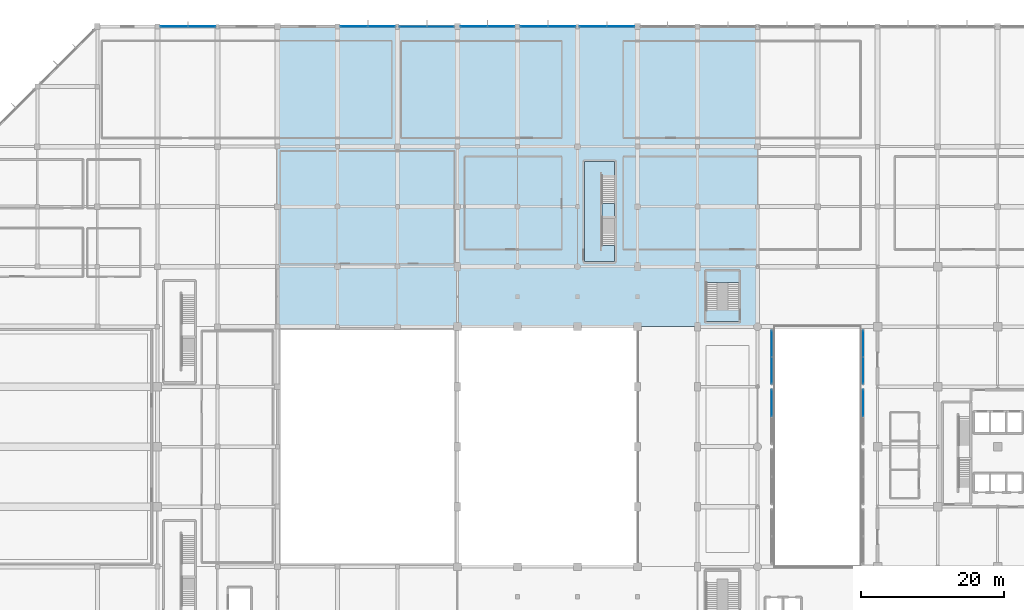
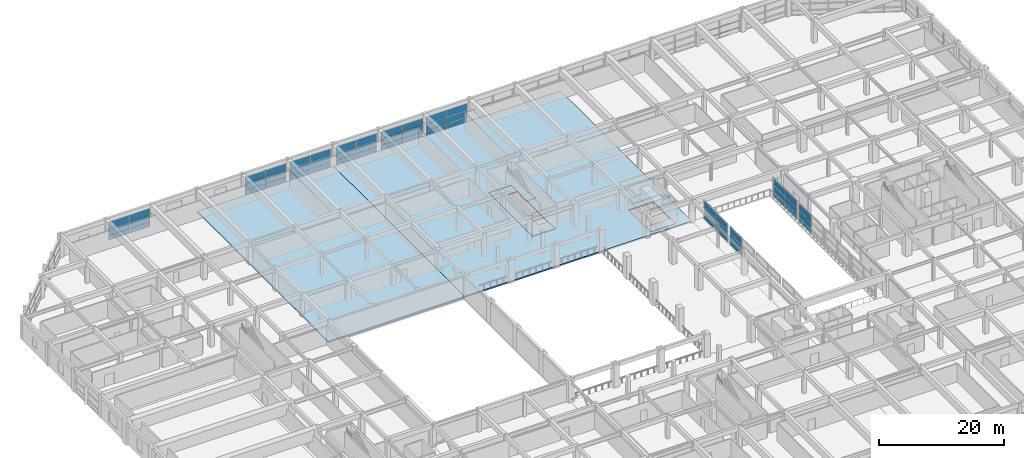
# One storey, part 46 of 65: 54 plates, 6 slabs, 12 elements without a shape of their own.
"""IFC4 building model written with IfcOpenShell, lengths in metres."""

from ifc_helpers import new_model, si_unit, direction, frame, origin, origin_2d, place, context, subcontext, project, spatial, polyline, rectangle, outline, extrude, material, layer, layer_set, type_object, element, aggregate, save


model = new_model("IFC4")

# Units and contexts
model_context = context("Model", 3, precision=1e-05, world=origin(), true_north=direction((0.0, 1.0)))
body_context = subcontext(model_context, "Body", "Model", "MODEL_VIEW")
ifc_project = project(units=[si_unit("LENGTHUNIT", "METRE"), si_unit("AREAUNIT", "SQUARE_METRE"), si_unit("VOLUMEUNIT", "CUBIC_METRE"), si_unit("PLANEANGLEUNIT", "RADIAN"), si_unit("MASSUNIT", "GRAM", prefix="KILO")], contexts=[model_context])

# Site, building, storey
site_placement = place(None, origin())
site = spatial("IfcSite", under=ifc_project, at=site_placement, CompositionType="ELEMENT")
building_placement = place(site_placement, origin())
building = spatial("IfcBuilding", under=site, at=building_placement, Name="Xuanlan Plaza Opera House", CompositionType="ELEMENT")
storey_placement = place(building_placement, frame((0.0, 0.0, 5.39990234375)))
storey = spatial("IfcBuildingStorey", under=building, at=storey_placement, Name="L01", CompositionType="ELEMENT", Elevation=5.39990234375)

# Curtain wall, plates
ifc_material_1 = material(Name="Anodised Aluminium 6063-T6 and Low-E Glass", Category="aluminium")
curtain_wall_type_1 = type_object("IfcCurtainWallType", Name="ENV-CW-CW-06", PredefinedType="USERDEFINED", material=ifc_material_1)
curtain_wall_1_placement = place(storey_placement, origin())
curtain_wall_1 = element("IfcCurtainWall", 1, at=curtain_wall_1_placement, inside=storey, type_object=curtain_wall_type_1, Name="Acoustic Glazed Wall L01-041", ObjectType="ACOUSTIC GLAZED WALL", PredefinedType="USERDEFINED")
ifc_material_2 = material(Name="Laminated Acoustic Double Glazing", Category="glass")
ifc_layer_1 = layer(ifc_material_2, 0.028076171875)
ifc_layer_set_1 = layer_set([ifc_layer_1], Name="Laminated Acoustic Double Glazing")
plate_type_1 = type_object("IfcPlateType", Name="ENV-CWP-01", PredefinedType="CURTAIN_PANEL", material=ifc_layer_set_1)
plate_1_placement = place(storey_placement, frame((64.83251953125, 117.60009765625, 0.090087890625), z_axis=(0.0, 0.0, 1.0), x_axis=(-1.0, 0.0, 0.0)))
plate_1 = element("IfcPlate", 2, at=plate_1_placement, type_object=plate_type_1, Name="CW-06 panel 1.1", PredefinedType="CURTAIN_PANEL", context=body_context, shape_type="SweptSolid", body=[
    extrude(rectangle(XDim=3.735107421875, YDim=0.028076171875, at=origin_2d()), origin(), (0.0, 0.0, 1.0), 0.81494140625),
])
plate_2_placement = place(storey_placement, frame((64.83251953125, 117.60009765625, 0.9951171875), z_axis=(0.0, 0.0, 1.0), x_axis=(-1.0, 0.0, 0.0)))
plate_2 = element("IfcPlate", 3, at=plate_2_placement, type_object=plate_type_1, Name="CW-06 panel 1.2", PredefinedType="CURTAIN_PANEL", context=body_context, shape_type="SweptSolid", body=[
    extrude(rectangle(XDim=3.735107421875, YDim=0.028076171875, at=origin_2d()), origin(), (0.0, 0.0, 1.0), 1.2099609375),
])
plate_3_placement = place(storey_placement, frame((64.83251953125, 117.60009765625, 2.295166015625), z_axis=(0.0, 0.0, 1.0), x_axis=(-1.0, 0.0, 0.0)))
plate_3 = element("IfcPlate", 4, at=plate_3_placement, type_object=plate_type_1, Name="CW-06 panel 1.3", PredefinedType="CURTAIN_PANEL", context=body_context, shape_type="SweptSolid", body=[
    extrude(rectangle(XDim=3.735107421875, YDim=0.028076171875, at=origin_2d()), origin(), (0.0, 0.0, 1.0), 1.294921875),
])
plate_4_placement = place(storey_placement, frame((61.017578125, 117.60009765625, 0.090087890625), z_axis=(0.0, 0.0, 1.0), x_axis=(-1.0, 0.0, 0.0)))
plate_4 = element("IfcPlate", 5, at=plate_4_placement, type_object=plate_type_1, Name="CW-06 panel 2.1", PredefinedType="CURTAIN_PANEL", context=body_context, shape_type="SweptSolid", body=[
    extrude(rectangle(XDim=3.735107421875, YDim=0.028076171875, at=origin_2d()), origin(), (0.0, 0.0, 1.0), 0.81494140625),
])
plate_5_placement = place(storey_placement, frame((61.017578125, 117.60009765625, 0.9951171875), z_axis=(0.0, 0.0, 1.0), x_axis=(-1.0, 0.0, 0.0)))
plate_5 = element("IfcPlate", 6, at=plate_5_placement, type_object=plate_type_1, Name="CW-06 panel 2.2", PredefinedType="CURTAIN_PANEL", context=body_context, shape_type="SweptSolid", body=[
    extrude(rectangle(XDim=3.735107421875, YDim=0.028076171875, at=origin_2d()), origin(), (0.0, 0.0, 1.0), 1.2099609375),
])
plate_6_placement = place(storey_placement, frame((61.017578125, 117.60009765625, 2.295166015625), z_axis=(0.0, 0.0, 1.0), x_axis=(-1.0, 0.0, 0.0)))
plate_6 = element("IfcPlate", 7, at=plate_6_placement, type_object=plate_type_1, Name="CW-06 panel 2.3", PredefinedType="CURTAIN_PANEL", context=body_context, shape_type="SweptSolid", body=[
    extrude(rectangle(XDim=3.735107421875, YDim=0.028076171875, at=origin_2d()), origin(), (0.0, 0.0, 1.0), 1.294921875),
])
aggregate(curtain_wall_1, [plate_1, plate_2, plate_3, plate_4, plate_5, plate_6])

curtain_wall_type_2 = type_object("IfcCurtainWallType", Name="ENV-CW-CW-05", PredefinedType="USERDEFINED", material=ifc_material_1)
curtain_wall_2_placement = place(storey_placement, origin())
curtain_wall_2 = element("IfcCurtainWall", 8, at=curtain_wall_2_placement, inside=storey, type_object=curtain_wall_type_2, Name="Acoustic Glazed Wall L01-038", ObjectType="ACOUSTIC GLAZED WALL", PredefinedType="USERDEFINED")
ifc_layer_2 = layer(ifc_material_2, 0.031982421875)
ifc_layer_set_2 = layer_set([ifc_layer_2], Name="Laminated Acoustic Double Glazing")
plate_type_2 = type_object("IfcPlateType", Name="ENV-CWP-02", PredefinedType="CURTAIN_PANEL", material=ifc_layer_set_2)
plate_7_placement = place(storey_placement, frame((90.030029296875, 117.60009765625, 0.080078125), z_axis=(0.0, 0.0, 1.0), x_axis=(-1.0, 0.0, 0.0)))
plate_7 = element("IfcPlate", 9, at=plate_7_placement, type_object=plate_type_2, Name="CW-05 panel 1.1", PredefinedType="CURTAIN_PANEL", context=body_context, shape_type="SweptSolid", body=[
    extrude(rectangle(XDim=3.77001953125, YDim=0.031982421875, at=origin_2d()), origin(), (0.0, 0.0, 1.0), 0.830078125),
])
plate_8_placement = place(storey_placement, frame((90.030029296875, 117.60009765625, 0.990234375), z_axis=(0.0, 0.0, 1.0), x_axis=(-1.0, 0.0, 0.0)))
plate_8 = element("IfcPlate", 10, at=plate_8_placement, type_object=plate_type_2, Name="CW-05 panel 1.2", PredefinedType="CURTAIN_PANEL", context=body_context, shape_type="SweptSolid", body=[
    extrude(rectangle(XDim=3.77001953125, YDim=0.031982421875, at=origin_2d()), origin(), (0.0, 0.0, 1.0), 1.219970703125),
])
plate_9_placement = place(storey_placement, frame((90.030029296875, 117.60009765625, 2.2900390625), z_axis=(0.0, 0.0, 1.0), x_axis=(-1.0, 0.0, 0.0)))
plate_9 = element("IfcPlate", 11, at=plate_9_placement, type_object=plate_type_2, Name="CW-05 panel 1.3", PredefinedType="CURTAIN_PANEL", context=body_context, shape_type="SweptSolid", body=[
    extrude(rectangle(XDim=3.77001953125, YDim=0.031982421875, at=origin_2d()), origin(), (0.0, 0.0, 1.0), 1.31005859375),
])
plate_10_placement = place(storey_placement, frame((86.195068359375, 117.60009765625, 0.080078125), z_axis=(0.0, 0.0, 1.0), x_axis=(-1.0, 0.0, 0.0)))
plate_10 = element("IfcPlate", 12, at=plate_10_placement, type_object=plate_type_2, Name="CW-05 panel 2.1", PredefinedType="CURTAIN_PANEL", context=body_context, shape_type="SweptSolid", body=[
    extrude(rectangle(XDim=3.77001953125, YDim=0.031982421875, at=origin_2d()), origin(), (0.0, 0.0, 1.0), 0.830078125),
])
plate_11_placement = place(storey_placement, frame((86.195068359375, 117.60009765625, 0.990234375), z_axis=(0.0, 0.0, 1.0), x_axis=(-1.0, 0.0, 0.0)))
plate_11 = element("IfcPlate", 13, at=plate_11_placement, type_object=plate_type_2, Name="CW-05 panel 2.2", PredefinedType="CURTAIN_PANEL", context=body_context, shape_type="SweptSolid", body=[
    extrude(rectangle(XDim=3.77001953125, YDim=0.031982421875, at=origin_2d()), origin(), (0.0, 0.0, 1.0), 1.219970703125),
])
plate_12_placement = place(storey_placement, frame((86.195068359375, 117.60009765625, 2.2900390625), z_axis=(0.0, 0.0, 1.0), x_axis=(-1.0, 0.0, 0.0)))
plate_12 = element("IfcPlate", 14, at=plate_12_placement, type_object=plate_type_2, Name="CW-05 panel 2.3", PredefinedType="CURTAIN_PANEL", context=body_context, shape_type="SweptSolid", body=[
    extrude(rectangle(XDim=3.77001953125, YDim=0.031982421875, at=origin_2d()), origin(), (0.0, 0.0, 1.0), 1.31005859375),
])
aggregate(curtain_wall_2, [plate_7, plate_8, plate_9, plate_10, plate_11, plate_12])

curtain_wall_3_placement = place(storey_placement, origin())
curtain_wall_3 = element("IfcCurtainWall", 15, at=curtain_wall_3_placement, inside=storey, type_object=curtain_wall_type_2, Name="Acoustic Glazed Wall L01-040", ObjectType="ACOUSTIC GLAZED WALL", PredefinedType="USERDEFINED")
ifc_layer_3 = layer(ifc_material_2, 0.035888671875)
ifc_layer_set_3 = layer_set([ifc_layer_3], Name="Laminated Acoustic Double Glazing")
plate_type_3 = type_object("IfcPlateType", Name="ENV-CWP-03", PredefinedType="CURTAIN_PANEL", material=ifc_layer_set_3)
plate_13_placement = place(storey_placement, frame((73.308837890625, 117.60009765625, 0.0751953125), z_axis=(0.0, 0.0, 1.0), x_axis=(-1.0, 0.0, 0.0)))
plate_13 = element("IfcPlate", 16, at=plate_13_placement, type_object=plate_type_3, Name="CW-05 panel 1.1", PredefinedType="CURTAIN_PANEL", context=body_context, shape_type="SweptSolid", body=[
    extrude(rectangle(XDim=3.6923828125, YDim=0.035888671875, at=origin_2d()), origin(), (0.0, 0.0, 1.0), 0.83740234375),
])
plate_14_placement = place(storey_placement, frame((73.308837890625, 117.60009765625, 0.987548828125), z_axis=(0.0, 0.0, 1.0), x_axis=(-1.0, 0.0, 0.0)))
plate_14 = element("IfcPlate", 17, at=plate_14_placement, type_object=plate_type_3, Name="CW-05 panel 1.2", PredefinedType="CURTAIN_PANEL", context=body_context, shape_type="SweptSolid", body=[
    extrude(rectangle(XDim=3.6923828125, YDim=0.035888671875, at=origin_2d()), origin(), (0.0, 0.0, 1.0), 1.22509765625),
])
plate_15_placement = place(storey_placement, frame((73.308837890625, 117.60009765625, 2.28759765625), z_axis=(0.0, 0.0, 1.0), x_axis=(-1.0, 0.0, 0.0)))
plate_15 = element("IfcPlate", 18, at=plate_15_placement, type_object=plate_type_3, Name="CW-05 panel 1.3", PredefinedType="CURTAIN_PANEL", context=body_context, shape_type="SweptSolid", body=[
    extrude(rectangle(XDim=3.6923828125, YDim=0.035888671875, at=origin_2d()), origin(), (0.0, 0.0, 1.0), 1.3173828125),
])
plate_16_placement = place(storey_placement, frame((69.541259765625, 117.60009765625, 0.0751953125), z_axis=(0.0, 0.0, 1.0), x_axis=(-1.0, 0.0, 0.0)))
plate_16 = element("IfcPlate", 19, at=plate_16_placement, type_object=plate_type_3, Name="CW-05 panel 2.1", PredefinedType="CURTAIN_PANEL", context=body_context, shape_type="SweptSolid", body=[
    extrude(rectangle(XDim=3.6923828125, YDim=0.035888671875, at=origin_2d()), origin(), (0.0, 0.0, 1.0), 0.83740234375),
])
plate_17_placement = place(storey_placement, frame((69.541259765625, 117.60009765625, 0.987548828125), z_axis=(0.0, 0.0, 1.0), x_axis=(-1.0, 0.0, 0.0)))
plate_17 = element("IfcPlate", 20, at=plate_17_placement, type_object=plate_type_3, Name="CW-05 panel 2.2", PredefinedType="CURTAIN_PANEL", context=body_context, shape_type="SweptSolid", body=[
    extrude(rectangle(XDim=3.6923828125, YDim=0.035888671875, at=origin_2d()), origin(), (0.0, 0.0, 1.0), 1.22509765625),
])
plate_18_placement = place(storey_placement, frame((69.541259765625, 117.60009765625, 2.28759765625), z_axis=(0.0, 0.0, 1.0), x_axis=(-1.0, 0.0, 0.0)))
plate_18 = element("IfcPlate", 21, at=plate_18_placement, type_object=plate_type_3, Name="CW-05 panel 2.3", PredefinedType="CURTAIN_PANEL", context=body_context, shape_type="SweptSolid", body=[
    extrude(rectangle(XDim=3.6923828125, YDim=0.035888671875, at=origin_2d()), origin(), (0.0, 0.0, 1.0), 1.3173828125),
])
aggregate(curtain_wall_3, [plate_13, plate_14, plate_15, plate_16, plate_17, plate_18])

curtain_wall_type_3 = type_object("IfcCurtainWallType", Name="ENV-CW-CW-04", PredefinedType="USERDEFINED", material=ifc_material_1)
curtain_wall_4_placement = place(storey_placement, origin())
curtain_wall_4 = element("IfcCurtainWall", 22, at=curtain_wall_4_placement, inside=storey, type_object=curtain_wall_type_3, Name="Unitised Curtain Wall L01-045", ObjectType="UNITISED CURTAIN WALL", PredefinedType="USERDEFINED")
plate_19_placement = place(storey_placement, frame((31.389892578125, 117.60009765625, 0.0751953125), z_axis=(0.0, 0.0, 1.0), x_axis=(-1.0, 0.0, 0.0)))
plate_19 = element("IfcPlate", 23, at=plate_19_placement, type_object=plate_type_3, Name="CW-04 panel 1.1", PredefinedType="CURTAIN_PANEL", context=body_context, shape_type="SweptSolid", body=[
    extrude(rectangle(XDim=3.780029296875, YDim=0.035888671875, at=origin_2d()), origin(), (0.0, 0.0, 1.0), 0.83740234375),
])
plate_20_placement = place(storey_placement, frame((31.389892578125, 117.60009765625, 0.987548828125), z_axis=(0.0, 0.0, 1.0), x_axis=(-1.0, 0.0, 0.0)))
plate_20 = element("IfcPlate", 24, at=plate_20_placement, type_object=plate_type_3, Name="CW-04 panel 1.2", PredefinedType="CURTAIN_PANEL", context=body_context, shape_type="SweptSolid", body=[
    extrude(rectangle(XDim=3.780029296875, YDim=0.035888671875, at=origin_2d()), origin(), (0.0, 0.0, 1.0), 1.22509765625),
])
plate_21_placement = place(storey_placement, frame((31.389892578125, 117.60009765625, 2.28759765625), z_axis=(0.0, 0.0, 1.0), x_axis=(-1.0, 0.0, 0.0)))
plate_21 = element("IfcPlate", 25, at=plate_21_placement, type_object=plate_type_3, Name="CW-04 panel 1.3", PredefinedType="CURTAIN_PANEL", context=body_context, shape_type="SweptSolid", body=[
    extrude(rectangle(XDim=3.780029296875, YDim=0.035888671875, at=origin_2d()), origin(), (0.0, 0.0, 1.0), 1.3173828125),
])
plate_22_placement = place(storey_placement, frame((27.534912109375, 117.60009765625, 0.0751953125), z_axis=(0.0, 0.0, 1.0), x_axis=(-1.0, 0.0, 0.0)))
plate_22 = element("IfcPlate", 26, at=plate_22_placement, type_object=plate_type_3, Name="CW-04 panel 2.1", PredefinedType="CURTAIN_PANEL", context=body_context, shape_type="SweptSolid", body=[
    extrude(rectangle(XDim=3.780029296875, YDim=0.035888671875, at=origin_2d()), origin(), (0.0, 0.0, 1.0), 0.83740234375),
])
plate_23_placement = place(storey_placement, frame((27.534912109375, 117.60009765625, 0.987548828125), z_axis=(0.0, 0.0, 1.0), x_axis=(-1.0, 0.0, 0.0)))
plate_23 = element("IfcPlate", 27, at=plate_23_placement, type_object=plate_type_3, Name="CW-04 panel 2.2", PredefinedType="CURTAIN_PANEL", context=body_context, shape_type="SweptSolid", body=[
    extrude(rectangle(XDim=3.780029296875, YDim=0.035888671875, at=origin_2d()), origin(), (0.0, 0.0, 1.0), 1.22509765625),
])
plate_24_placement = place(storey_placement, frame((27.534912109375, 117.60009765625, 2.28759765625), z_axis=(0.0, 0.0, 1.0), x_axis=(-1.0, 0.0, 0.0)))
plate_24 = element("IfcPlate", 28, at=plate_24_placement, type_object=plate_type_3, Name="CW-04 panel 2.3", PredefinedType="CURTAIN_PANEL", context=body_context, shape_type="SweptSolid", body=[
    extrude(rectangle(XDim=3.780029296875, YDim=0.035888671875, at=origin_2d()), origin(), (0.0, 0.0, 1.0), 1.3173828125),
])
aggregate(curtain_wall_4, [plate_19, plate_20, plate_21, plate_22, plate_23, plate_24])

curtain_wall_type_4 = type_object("IfcCurtainWallType", Name="ENV-CW-CW-01", PredefinedType="USERDEFINED", material=ifc_material_1)
curtain_wall_5_placement = place(storey_placement, origin())
curtain_wall_5 = element("IfcCurtainWall", 29, at=curtain_wall_5_placement, inside=storey, type_object=curtain_wall_type_4, Name="Unitised Curtain Wall L01-042", ObjectType="UNITISED CURTAIN WALL", PredefinedType="USERDEFINED")
ifc_layer_4 = layer(ifc_material_2, 0.0400390625)
ifc_layer_set_4 = layer_set([ifc_layer_4], Name="Laminated Acoustic Double Glazing")
plate_type_4 = type_object("IfcPlateType", Name="ENV-CWP-04", PredefinedType="CURTAIN_PANEL", material=ifc_layer_set_4)
plate_25_placement = place(storey_placement, frame((56.5673828125, 117.60009765625, 0.0703125), z_axis=(0.0, 0.0, 1.0), x_axis=(-1.0, 0.0, 0.0)))
plate_25 = element("IfcPlate", 30, at=plate_25_placement, type_object=plate_type_4, Name="CW-01 panel 1.1", PredefinedType="CURTAIN_PANEL", context=body_context, shape_type="SweptSolid", body=[
    extrude(rectangle(XDim=3.7451171875, YDim=0.0400390625, at=origin_2d()), origin(), (0.0, 0.0, 1.0), 0.844970703125),
])
plate_26_placement = place(storey_placement, frame((56.5673828125, 117.60009765625, 0.985107421875), z_axis=(0.0, 0.0, 1.0), x_axis=(-1.0, 0.0, 0.0)))
plate_26 = element("IfcPlate", 31, at=plate_26_placement, type_object=plate_type_4, Name="CW-01 panel 1.2", PredefinedType="CURTAIN_PANEL", context=body_context, shape_type="SweptSolid", body=[
    extrude(rectangle(XDim=3.7451171875, YDim=0.0400390625, at=origin_2d()), origin(), (0.0, 0.0, 1.0), 1.22998046875),
])
plate_27_placement = place(storey_placement, frame((56.5673828125, 117.60009765625, 2.28515625), z_axis=(0.0, 0.0, 1.0), x_axis=(-1.0, 0.0, 0.0)))
plate_27 = element("IfcPlate", 32, at=plate_27_placement, type_object=plate_type_4, Name="CW-01 panel 1.3", PredefinedType="CURTAIN_PANEL", context=body_context, shape_type="SweptSolid", body=[
    extrude(rectangle(XDim=3.7451171875, YDim=0.0400390625, at=origin_2d()), origin(), (0.0, 0.0, 1.0), 1.324951171875),
])
plate_28_placement = place(storey_placement, frame((52.732421875, 117.60009765625, 0.0703125), z_axis=(0.0, 0.0, 1.0), x_axis=(-1.0, 0.0, 0.0)))
plate_28 = element("IfcPlate", 33, at=plate_28_placement, type_object=plate_type_4, Name="CW-01 panel 2.1", PredefinedType="CURTAIN_PANEL", context=body_context, shape_type="SweptSolid", body=[
    extrude(rectangle(XDim=3.7451171875, YDim=0.0400390625, at=origin_2d()), origin(), (0.0, 0.0, 1.0), 0.844970703125),
])
plate_29_placement = place(storey_placement, frame((52.732421875, 117.60009765625, 0.985107421875), z_axis=(0.0, 0.0, 1.0), x_axis=(-1.0, 0.0, 0.0)))
plate_29 = element("IfcPlate", 34, at=plate_29_placement, type_object=plate_type_4, Name="CW-01 panel 2.2", PredefinedType="CURTAIN_PANEL", context=body_context, shape_type="SweptSolid", body=[
    extrude(rectangle(XDim=3.7451171875, YDim=0.0400390625, at=origin_2d()), origin(), (0.0, 0.0, 1.0), 1.22998046875),
])
plate_30_placement = place(storey_placement, frame((52.732421875, 117.60009765625, 2.28515625), z_axis=(0.0, 0.0, 1.0), x_axis=(-1.0, 0.0, 0.0)))
plate_30 = element("IfcPlate", 35, at=plate_30_placement, type_object=plate_type_4, Name="CW-01 panel 2.3", PredefinedType="CURTAIN_PANEL", context=body_context, shape_type="SweptSolid", body=[
    extrude(rectangle(XDim=3.7451171875, YDim=0.0400390625, at=origin_2d()), origin(), (0.0, 0.0, 1.0), 1.324951171875),
])
aggregate(curtain_wall_5, [plate_25, plate_26, plate_27, plate_28, plate_29, plate_30])

curtain_wall_6_placement = place(storey_placement, origin())
curtain_wall_6 = element("IfcCurtainWall", 36, at=curtain_wall_6_placement, inside=storey, type_object=curtain_wall_type_1, Name="Acoustic Glazed Wall L01-039", ObjectType="ACOUSTIC GLAZED WALL", PredefinedType="USERDEFINED")
ifc_layer_5 = layer(ifc_material_2, 0.0439453125)
ifc_layer_set_5 = layer_set([ifc_layer_5], Name="Laminated Acoustic Double Glazing")
plate_type_5 = type_object("IfcPlateType", Name="ENV-CWP-05", PredefinedType="CURTAIN_PANEL", material=ifc_layer_set_5)
plate_31_placement = place(storey_placement, frame((81.791259765625, 117.60009765625, 0.065185546875), z_axis=(0.0, 0.0, 1.0), x_axis=(-1.0, 0.0, 0.0)))
plate_31 = element("IfcPlate", 37, at=plate_31_placement, type_object=plate_type_5, Name="CW-06 panel 1.1", PredefinedType="CURTAIN_PANEL", context=body_context, shape_type="SweptSolid", body=[
    extrude(rectangle(XDim=3.78759765625, YDim=0.0439453125, at=origin_2d()), origin(), (0.0, 0.0, 1.0), 0.8525390625),
])
plate_32_placement = place(storey_placement, frame((81.791259765625, 117.60009765625, 0.982421875), z_axis=(0.0, 0.0, 1.0), x_axis=(-1.0, 0.0, 0.0)))
plate_32 = element("IfcPlate", 38, at=plate_32_placement, type_object=plate_type_5, Name="CW-06 panel 1.2", PredefinedType="CURTAIN_PANEL", context=body_context, shape_type="SweptSolid", body=[
    extrude(rectangle(XDim=3.78759765625, YDim=0.0439453125, at=origin_2d()), origin(), (0.0, 0.0, 1.0), 1.235107421875),
])
plate_33_placement = place(storey_placement, frame((81.791259765625, 117.60009765625, 2.282470703125), z_axis=(0.0, 0.0, 1.0), x_axis=(-1.0, 0.0, 0.0)))
plate_33 = element("IfcPlate", 39, at=plate_33_placement, type_object=plate_type_5, Name="CW-06 panel 1.3", PredefinedType="CURTAIN_PANEL", context=body_context, shape_type="SweptSolid", body=[
    extrude(rectangle(XDim=3.78759765625, YDim=0.0439453125, at=origin_2d()), origin(), (0.0, 0.0, 1.0), 1.33251953125),
])
plate_34_placement = place(storey_placement, frame((77.933837890625, 117.60009765625, 0.065185546875), z_axis=(0.0, 0.0, 1.0), x_axis=(-1.0, 0.0, 0.0)))
plate_34 = element("IfcPlate", 40, at=plate_34_placement, type_object=plate_type_5, Name="CW-06 panel 2.1", PredefinedType="CURTAIN_PANEL", context=body_context, shape_type="SweptSolid", body=[
    extrude(rectangle(XDim=3.78759765625, YDim=0.0439453125, at=origin_2d()), origin(), (0.0, 0.0, 1.0), 0.8525390625),
])
plate_35_placement = place(storey_placement, frame((77.933837890625, 117.60009765625, 0.982421875), z_axis=(0.0, 0.0, 1.0), x_axis=(-1.0, 0.0, 0.0)))
plate_35 = element("IfcPlate", 41, at=plate_35_placement, type_object=plate_type_5, Name="CW-06 panel 2.2", PredefinedType="CURTAIN_PANEL", context=body_context, shape_type="SweptSolid", body=[
    extrude(rectangle(XDim=3.78759765625, YDim=0.0439453125, at=origin_2d()), origin(), (0.0, 0.0, 1.0), 1.235107421875),
])
plate_36_placement = place(storey_placement, frame((77.933837890625, 117.60009765625, 2.282470703125), z_axis=(0.0, 0.0, 1.0), x_axis=(-1.0, 0.0, 0.0)))
plate_36 = element("IfcPlate", 42, at=plate_36_placement, type_object=plate_type_5, Name="CW-06 panel 2.3", PredefinedType="CURTAIN_PANEL", context=body_context, shape_type="SweptSolid", body=[
    extrude(rectangle(XDim=3.78759765625, YDim=0.0439453125, at=origin_2d()), origin(), (0.0, 0.0, 1.0), 1.33251953125),
])
aggregate(curtain_wall_6, [plate_31, plate_32, plate_33, plate_34, plate_35, plate_36])

curtain_wall_7_placement = place(storey_placement, origin())
curtain_wall_7 = element("IfcCurtainWall", 43, at=curtain_wall_7_placement, inside=storey, type_object=curtain_wall_type_1, Name="Acoustic Glazed Wall ATR-L01-13", ObjectType="ACOUSTIC GLAZED WALL", PredefinedType="USERDEFINED")
plate_37_placement = place(storey_placement, frame((111.199951171875, 64.902587890625, 0.090087890625), z_axis=(0.0, 0.0, 1.0), x_axis=(0.0, 1.0, 0.0)))
plate_37 = element("IfcPlate", 44, at=plate_37_placement, type_object=plate_type_5, Name="CW-06 panel 2.1", PredefinedType="CURTAIN_PANEL", context=body_context, shape_type="SweptSolid", body=[
    extrude(rectangle(XDim=3.715087890625, YDim=0.0439453125, at=origin_2d()), origin(), (0.0, 0.0, 1.0), 0.81494140625),
])
plate_38_placement = place(storey_placement, frame((111.199951171875, 64.902587890625, 0.9951171875), z_axis=(0.0, 0.0, 1.0), x_axis=(0.0, 1.0, 0.0)))
plate_38 = element("IfcPlate", 45, at=plate_38_placement, type_object=plate_type_5, Name="CW-06 panel 2.2", PredefinedType="CURTAIN_PANEL", context=body_context, shape_type="SweptSolid", body=[
    extrude(rectangle(XDim=3.715087890625, YDim=0.0439453125, at=origin_2d()), origin(), (0.0, 0.0, 1.0), 1.2099609375),
])
plate_39_placement = place(storey_placement, frame((111.199951171875, 64.902587890625, 2.295166015625), z_axis=(0.0, 0.0, 1.0), x_axis=(0.0, 1.0, 0.0)))
plate_39 = element("IfcPlate", 46, at=plate_39_placement, type_object=plate_type_5, Name="CW-06 panel 2.3", PredefinedType="CURTAIN_PANEL", context=body_context, shape_type="SweptSolid", body=[
    extrude(rectangle(XDim=3.715087890625, YDim=0.0439453125, at=origin_2d()), origin(), (0.0, 0.0, 1.0), 1.294921875),
])
aggregate(curtain_wall_7, [plate_37, plate_38, plate_39])

curtain_wall_8_placement = place(storey_placement, origin())
curtain_wall_8 = element("IfcCurtainWall", 47, at=curtain_wall_8_placement, inside=storey, type_object=curtain_wall_type_1, Name="Acoustic Glazed Wall ATR-L01-14", ObjectType="ACOUSTIC GLAZED WALL", PredefinedType="USERDEFINED")
plate_40_placement = place(storey_placement, frame((111.199951171875, 69.472412109375, 0.090087890625), z_axis=(0.0, 0.0, 1.0), x_axis=(0.0, 1.0, 0.0)))
plate_40 = element("IfcPlate", 48, at=plate_40_placement, type_object=plate_type_5, Name="CW-06 panel 1.1", PredefinedType="CURTAIN_PANEL", context=body_context, shape_type="SweptSolid", body=[
    extrude(rectangle(XDim=3.6650390625, YDim=0.0439453125, at=origin_2d()), origin(), (0.0, 0.0, 1.0), 0.81494140625),
])
plate_41_placement = place(storey_placement, frame((111.199951171875, 69.472412109375, 0.9951171875), z_axis=(0.0, 0.0, 1.0), x_axis=(0.0, 1.0, 0.0)))
plate_41 = element("IfcPlate", 49, at=plate_41_placement, type_object=plate_type_5, Name="CW-06 panel 1.2", PredefinedType="CURTAIN_PANEL", context=body_context, shape_type="SweptSolid", body=[
    extrude(rectangle(XDim=3.6650390625, YDim=0.0439453125, at=origin_2d()), origin(), (0.0, 0.0, 1.0), 1.2099609375),
])
plate_42_placement = place(storey_placement, frame((111.199951171875, 69.472412109375, 2.295166015625), z_axis=(0.0, 0.0, 1.0), x_axis=(0.0, 1.0, 0.0)))
plate_42 = element("IfcPlate", 50, at=plate_42_placement, type_object=plate_type_5, Name="CW-06 panel 1.3", PredefinedType="CURTAIN_PANEL", context=body_context, shape_type="SweptSolid", body=[
    extrude(rectangle(XDim=3.6650390625, YDim=0.0439453125, at=origin_2d()), origin(), (0.0, 0.0, 1.0), 1.294921875),
])
plate_43_placement = place(storey_placement, frame((111.199951171875, 73.2275390625, 0.090087890625), z_axis=(0.0, 0.0, 1.0), x_axis=(0.0, 1.0, 0.0)))
plate_43 = element("IfcPlate", 51, at=plate_43_placement, type_object=plate_type_5, Name="CW-06 panel 2.1", PredefinedType="CURTAIN_PANEL", context=body_context, shape_type="SweptSolid", body=[
    extrude(rectangle(XDim=3.6650390625, YDim=0.0439453125, at=origin_2d()), origin(), (0.0, 0.0, 1.0), 0.81494140625),
])
plate_44_placement = place(storey_placement, frame((111.199951171875, 73.2275390625, 0.9951171875), z_axis=(0.0, 0.0, 1.0), x_axis=(0.0, 1.0, 0.0)))
plate_44 = element("IfcPlate", 52, at=plate_44_placement, type_object=plate_type_5, Name="CW-06 panel 2.2", PredefinedType="CURTAIN_PANEL", context=body_context, shape_type="SweptSolid", body=[
    extrude(rectangle(XDim=3.6650390625, YDim=0.0439453125, at=origin_2d()), origin(), (0.0, 0.0, 1.0), 1.2099609375),
])
plate_45_placement = place(storey_placement, frame((111.199951171875, 73.2275390625, 2.295166015625), z_axis=(0.0, 0.0, 1.0), x_axis=(0.0, 1.0, 0.0)))
plate_45 = element("IfcPlate", 53, at=plate_45_placement, type_object=plate_type_5, Name="CW-06 panel 2.3", PredefinedType="CURTAIN_PANEL", context=body_context, shape_type="SweptSolid", body=[
    extrude(rectangle(XDim=3.6650390625, YDim=0.0439453125, at=origin_2d()), origin(), (0.0, 0.0, 1.0), 1.294921875),
])
aggregate(curtain_wall_8, [plate_40, plate_41, plate_42, plate_43, plate_44, plate_45])

curtain_wall_9_placement = place(storey_placement, origin())
curtain_wall_9 = element("IfcCurtainWall", 54, at=curtain_wall_9_placement, inside=storey, type_object=curtain_wall_type_1, Name="Acoustic Glazed Wall ATR-L01-23", ObjectType="ACOUSTIC GLAZED WALL", PredefinedType="USERDEFINED")
plate_46_placement = place(storey_placement, frame((124.0, 64.902587890625, 0.090087890625), z_axis=(0.0, 0.0, 1.0), x_axis=(0.0, 1.0, 0.0)))
plate_46 = element("IfcPlate", 55, at=plate_46_placement, type_object=plate_type_5, Name="CW-06 panel 2.1", PredefinedType="CURTAIN_PANEL", context=body_context, shape_type="SweptSolid", body=[
    extrude(rectangle(XDim=3.715087890625, YDim=0.0439453125, at=origin_2d()), origin(), (0.0, 0.0, 1.0), 0.81494140625),
])
plate_47_placement = place(storey_placement, frame((124.0, 64.902587890625, 0.9951171875), z_axis=(0.0, 0.0, 1.0), x_axis=(0.0, 1.0, 0.0)))
plate_47 = element("IfcPlate", 56, at=plate_47_placement, type_object=plate_type_5, Name="CW-06 panel 2.2", PredefinedType="CURTAIN_PANEL", context=body_context, shape_type="SweptSolid", body=[
    extrude(rectangle(XDim=3.715087890625, YDim=0.0439453125, at=origin_2d()), origin(), (0.0, 0.0, 1.0), 1.2099609375),
])
plate_48_placement = place(storey_placement, frame((124.0, 64.902587890625, 2.295166015625), z_axis=(0.0, 0.0, 1.0), x_axis=(0.0, 1.0, 0.0)))
plate_48 = element("IfcPlate", 57, at=plate_48_placement, type_object=plate_type_5, Name="CW-06 panel 2.3", PredefinedType="CURTAIN_PANEL", context=body_context, shape_type="SweptSolid", body=[
    extrude(rectangle(XDim=3.715087890625, YDim=0.0439453125, at=origin_2d()), origin(), (0.0, 0.0, 1.0), 1.294921875),
])
aggregate(curtain_wall_9, [plate_46, plate_47, plate_48])

curtain_wall_10_placement = place(storey_placement, origin())
curtain_wall_10 = element("IfcCurtainWall", 58, at=curtain_wall_10_placement, inside=storey, type_object=curtain_wall_type_1, Name="Acoustic Glazed Wall ATR-L01-24", ObjectType="ACOUSTIC GLAZED WALL", PredefinedType="USERDEFINED")
plate_49_placement = place(storey_placement, frame((124.0, 69.472412109375, 0.090087890625), z_axis=(0.0, 0.0, 1.0), x_axis=(0.0, 1.0, 0.0)))
plate_49 = element("IfcPlate", 59, at=plate_49_placement, type_object=plate_type_5, Name="CW-06 panel 1.1", PredefinedType="CURTAIN_PANEL", context=body_context, shape_type="SweptSolid", body=[
    extrude(rectangle(XDim=3.6650390625, YDim=0.0439453125, at=origin_2d()), origin(), (0.0, 0.0, 1.0), 0.81494140625),
])
plate_50_placement = place(storey_placement, frame((124.0, 69.472412109375, 0.9951171875), z_axis=(0.0, 0.0, 1.0), x_axis=(0.0, 1.0, 0.0)))
plate_50 = element("IfcPlate", 60, at=plate_50_placement, type_object=plate_type_5, Name="CW-06 panel 1.2", PredefinedType="CURTAIN_PANEL", context=body_context, shape_type="SweptSolid", body=[
    extrude(rectangle(XDim=3.6650390625, YDim=0.0439453125, at=origin_2d()), origin(), (0.0, 0.0, 1.0), 1.2099609375),
])
plate_51_placement = place(storey_placement, frame((124.0, 69.472412109375, 2.295166015625), z_axis=(0.0, 0.0, 1.0), x_axis=(0.0, 1.0, 0.0)))
plate_51 = element("IfcPlate", 61, at=plate_51_placement, type_object=plate_type_5, Name="CW-06 panel 1.3", PredefinedType="CURTAIN_PANEL", context=body_context, shape_type="SweptSolid", body=[
    extrude(rectangle(XDim=3.6650390625, YDim=0.0439453125, at=origin_2d()), origin(), (0.0, 0.0, 1.0), 1.294921875),
])
plate_52_placement = place(storey_placement, frame((124.0, 73.2275390625, 0.090087890625), z_axis=(0.0, 0.0, 1.0), x_axis=(0.0, 1.0, 0.0)))
plate_52 = element("IfcPlate", 62, at=plate_52_placement, type_object=plate_type_5, Name="CW-06 panel 2.1", PredefinedType="CURTAIN_PANEL", context=body_context, shape_type="SweptSolid", body=[
    extrude(rectangle(XDim=3.6650390625, YDim=0.0439453125, at=origin_2d()), origin(), (0.0, 0.0, 1.0), 0.81494140625),
])
plate_53_placement = place(storey_placement, frame((124.0, 73.2275390625, 0.9951171875), z_axis=(0.0, 0.0, 1.0), x_axis=(0.0, 1.0, 0.0)))
plate_53 = element("IfcPlate", 63, at=plate_53_placement, type_object=plate_type_5, Name="CW-06 panel 2.2", PredefinedType="CURTAIN_PANEL", context=body_context, shape_type="SweptSolid", body=[
    extrude(rectangle(XDim=3.6650390625, YDim=0.0439453125, at=origin_2d()), origin(), (0.0, 0.0, 1.0), 1.2099609375),
])
plate_54_placement = place(storey_placement, frame((124.0, 73.2275390625, 2.295166015625), z_axis=(0.0, 0.0, 1.0), x_axis=(0.0, 1.0, 0.0)))
plate_54 = element("IfcPlate", 64, at=plate_54_placement, type_object=plate_type_5, Name="CW-06 panel 2.3", PredefinedType="CURTAIN_PANEL", context=body_context, shape_type="SweptSolid", body=[
    extrude(rectangle(XDim=3.6650390625, YDim=0.0439453125, at=origin_2d()), origin(), (0.0, 0.0, 1.0), 1.294921875),
])
aggregate(curtain_wall_10, [plate_49, plate_50, plate_51, plate_52, plate_53, plate_54])

# Stair, slabs
ifc_material_3 = material(Name="Concrete C40", Category="concrete")
stair_type_1 = type_object("IfcStairType", Name="INT-ST-STR-F130", PredefinedType="HALF_TURN_STAIR", material=ifc_material_3)
stair_1_placement = place(storey_placement, origin())
stair_1 = element("IfcStair", 65, at=stair_1_placement, inside=storey, type_object=stair_type_1, Name="Grand Foyer Feature Stair ST-F2 L01", PredefinedType="HALF_TURN_STAIR")
ifc_layer_6 = layer(ifc_material_3, 0.18994140625)
ifc_layer_set_6 = layer_set([ifc_layer_6], Name="Concrete C40")
slab_type_1 = type_object("IfcSlabType", Name="INT-SLB-LND-19", PredefinedType="LANDING", material=ifc_layer_set_6)
slab_1_placement = place(storey_placement, frame((0.0, 0.0, 2.06005859375)))
slab_1 = element("IfcSlab", 66, at=slab_1_placement, type_object=slab_type_1, Name="ST-F2-L01 landing 1", PredefinedType="LANDING", context=body_context, shape_type="SweptSolid", body=[
    extrude(outline(polyline([(102.0, 81.77490234375), (106.60009765625, 81.77490234375), (106.60009765625, 83.3798828125), (102.0, 83.3798828125), (102.0, 81.77490234375)])), origin(), (0.0, 0.0, 1.0), 0.18994140625),
])
slab_2_placement = place(storey_placement, frame((0.0, 0.0, -0.18994140625)))
slab_2 = element("IfcSlab", 67, at=slab_2_placement, type_object=slab_type_1, Name="ST-F2-L01 landing 2", PredefinedType="LANDING", context=body_context, shape_type="SweptSolid", body=[
    extrude(outline(polyline([(102.0, 76.300048828125), (106.60009765625, 76.300048828125), (106.60009765625, 77.905029296875), (102.0, 77.905029296875), (102.0, 76.300048828125)])), origin(), (0.0, 0.0, 1.0), 0.18994140625),
])
aggregate(stair_1, [slab_1, slab_2])

stair_type_2 = type_object("IfcStairType", Name="INT-ST-STR-P180", PredefinedType="STRAIGHT_RUN_STAIR", material=ifc_material_3)
stair_2_placement = place(storey_placement, origin())
stair_2 = element("IfcStair", 68, at=stair_2_placement, inside=storey, type_object=stair_type_2, Name="Protected Exit Stair ST-P4 L01", PredefinedType="STRAIGHT_RUN_STAIR")
ifc_layer_7 = layer(ifc_material_3, 0.199951171875)
ifc_layer_set_7 = layer_set([ifc_layer_7], Name="Concrete C40")
slab_type_2 = type_object("IfcSlabType", Name="INT-SLB-LND-20", PredefinedType="LANDING", material=ifc_layer_set_7)
slab_3_placement = place(storey_placement, frame((0.0, 0.0, 2.050048828125)))
slab_3 = element("IfcSlab", 69, at=slab_3_placement, type_object=slab_type_2, Name="ST-P4-L01 landing 1", PredefinedType="LANDING", context=body_context, shape_type="SweptSolid", body=[
    extrude(outline(polyline([(87.39990234375, 90.93505859375), (89.199951171875, 90.93505859375), (89.199951171875, 92.8349609375), (87.39990234375, 92.8349609375), (87.39990234375, 90.93505859375)])), origin(), (0.0, 0.0, 1.0), 0.199951171875),
])
slab_4_placement = place(storey_placement, frame((0.0, 0.0, -0.199951171875)))
slab_4 = element("IfcSlab", 70, at=slab_4_placement, type_object=slab_type_2, Name="ST-P4-L01 landing 2", PredefinedType="LANDING", context=body_context, shape_type="SweptSolid", body=[
    extrude(outline(polyline([(85.0, 84.699951171875), (89.199951171875, 84.699951171875), (89.199951171875, 86.9951171875), (87.39990234375, 86.9951171875), (87.39990234375, 96.77490234375), (89.199951171875, 96.77490234375), (89.199951171875, 98.699951171875), (85.0, 98.699951171875), (85.0, 84.699951171875)])), origin(), (0.0, 0.0, 1.0), 0.199951171875),
])
aggregate(stair_2, [slab_3, slab_4])

# Slabs
ifc_layer_8 = layer(ifc_material_3, 0.260009765625)
ifc_layer_set_8 = layer_set([ifc_layer_8], Name="Concrete C40")
slab_type_3 = type_object("IfcSlabType", Name="STR-SLB-SL-02", PredefinedType="FLOOR", material=ifc_layer_set_8)
slab_5_placement = place(storey_placement, frame((0.0, 0.0, -0.260009765625)))
element("IfcSlab", 71, at=slab_5_placement, inside=storey, type_object=slab_type_3, Name="Storey L01 Structural Floor Slab Zone 06", PredefinedType="FLOOR", context=body_context, shape_type="SweptSolid", body=[
    extrude(outline(polyline([(67.199951171875, 117.60009765625), (67.199951171875, 75.60009765625), (42.0, 75.60009765625), (42.0, 117.60009765625), (67.199951171875, 117.60009765625)])), origin(), (0.0, 0.0, 1.0), 0.260009765625),
])
slab_6_placement = place(storey_placement, frame((0.0, 0.0, -0.260009765625)))
element("IfcSlab", 72, at=slab_6_placement, inside=storey, type_object=slab_type_3, Name="Storey L01 Structural Floor Slab Zone 09", PredefinedType="FLOOR", context=body_context, shape_type="SweptSolid", body=[
    extrude(outline(polyline([(109.199951171875, 117.60009765625), (109.199951171875, 75.60009765625), (92.39990234375, 75.60009765625), (67.199951171875, 75.60009765625), (67.199951171875, 117.60009765625), (109.199951171875, 117.60009765625)]), holes=[polyline([(89.199951171875, 84.699951171875), (89.199951171875, 98.699951171875), (85.0, 98.699951171875), (85.0, 84.699951171875), (89.199951171875, 84.699951171875)]), polyline([(102.0, 83.3798828125), (102.0, 76.300048828125), (106.60009765625, 76.300048828125), (106.60009765625, 83.3798828125), (102.0, 83.3798828125)])]), origin(), (0.0, 0.0, 1.0), 0.260009765625),
])

save(model, "model.ifc")
